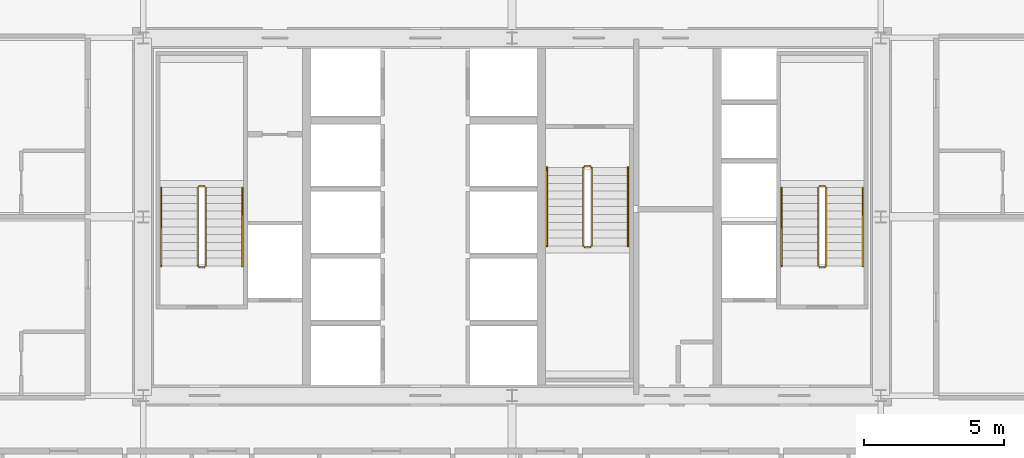
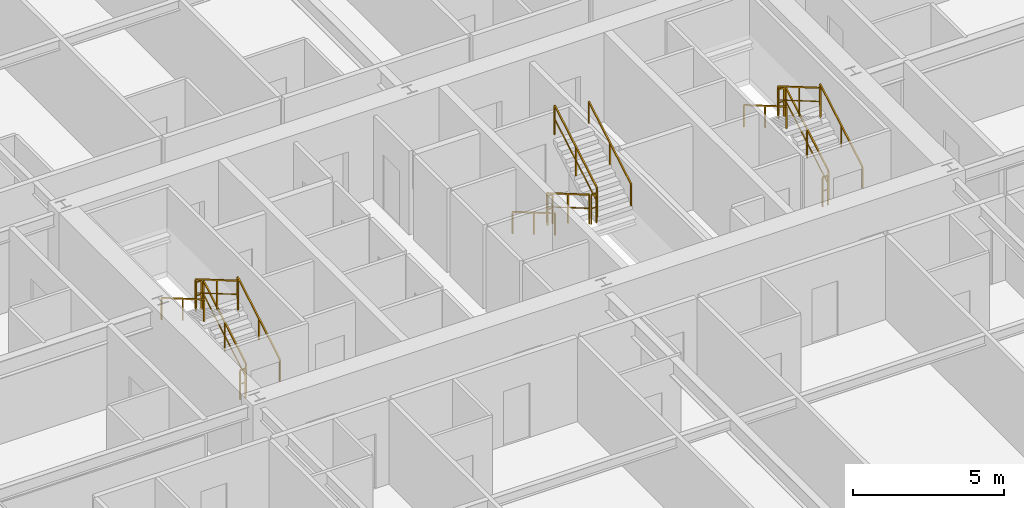
# One storey, part 38 of 38: 18 railings.
"""IFC4 building model written with IfcOpenShell, lengths in metres."""

from ifc_helpers import new_model, si_unit, direction, frame, origin, origin_2d, place, context, subcontext, project, spatial, rectangle, extrude, source, transform, mapped, material, layer, layer_set, type_object, element, save


model = new_model("IFC4")

# Units and contexts
model_context = context("Model", 3, precision=1e-05, world=origin(), true_north=direction((0.0, 1.0)))
body_context = subcontext(model_context, "Body", "Model", "MODEL_VIEW")
ifc_project = project(units=[si_unit("LENGTHUNIT", "METRE"), si_unit("AREAUNIT", "SQUARE_METRE"), si_unit("VOLUMEUNIT", "CUBIC_METRE"), si_unit("PLANEANGLEUNIT", "RADIAN"), si_unit("MASSUNIT", "GRAM", prefix="KILO"), si_unit("THERMODYNAMICTEMPERATUREUNIT", "KELVIN"), si_unit("POWERUNIT", "WATT")], contexts=[model_context])

# Site, building, storey
site_placement = place(None, origin())
site = spatial("IfcSite", under=ifc_project, at=site_placement, CompositionType="ELEMENT")
building_placement = place(site_placement, origin())
building = spatial("IfcBuilding", under=site, at=building_placement, Name="Yuzanri Waterfront Tower", CompositionType="ELEMENT")
storey_placement = place(building_placement, frame((0.0, 0.0, 97.39990234375)))
storey = spatial("IfcBuildingStorey", under=building, at=storey_placement, Name="L25", CompositionType="ELEMENT", Elevation=97.39990234375)

# Railings
ifc_material_1 = material(Name="Painted Galvanized Fire Steel", Category="steel")
ifc_layer_1 = layer(ifc_material_1, 0.06005859375)
ifc_layer_set_1 = layer_set([ifc_layer_1], Name="Painted Galvanized Fire Steel")
railing_type_1 = type_object("IfcRailingType", Name="Painted Steel Stairwell Guardrail 1120", PredefinedType="GUARDRAIL", material=ifc_layer_set_1)
shared_shape_1 = source(origin(), body_context, "Body", "SweptSolid", [
    extrude(rectangle(XDim=0.050048828125, YDim=0.050048828125, at=origin_2d()), frame((0.0, 0.0, 1.1748046875), z_axis=(-1.0, 0.0, 0.0), x_axis=(0.0, -1.0, 0.0)), (0.0, 0.0, 1.0), 0.199951171875),
    extrude(rectangle(XDim=0.035888671875, YDim=0.030029296875, at=origin_2d()), frame((0.0, 0.0, 0.6240234375), z_axis=(-1.0, 0.0, 0.0), x_axis=(0.0, -1.0, 0.0)), (0.0, 0.0, 1.0), 0.199951171875),
    extrude(rectangle(XDim=0.0458984375, YDim=0.0458984375, at=origin_2d()), origin(), (0.0, 0.0, 1.0), 1.14990234375),
    extrude(rectangle(XDim=0.0458984375, YDim=0.0458984375, at=origin_2d()), frame((-0.199951171875, 0.0, 0.0)), (0.0, 0.0, 1.0), 1.14990234375),
])
for number, where, name in (
    (1, (26.0, 26.889892578125, 1.800048828125), "L25 ST-01 stair guard 2"),
    (2, (26.0, 23.989990234375, 0.0), "L25 ST-01 stair guard 4"),
    (3, (48.199951171875, 26.889892578125, 1.800048828125), "L25 ST-02 stair guard 2"),
    (4, (48.199951171875, 23.989990234375, 0.0), "L25 ST-02 stair guard 4"),
):
    element("IfcRailing", number, at=place(storey_placement, frame(where)), inside=storey, type_object=railing_type_1, Name=name, PredefinedType="GUARDRAIL", context=body_context, shape_type="MappedRepresentation", body=[
        mapped(shared_shape_1, transform((0.0, 0.0, 0.0), scale=1.0)),
    ])
shared_shape_2 = source(origin(), body_context, "Body", "SweptSolid", [
    extrude(rectangle(XDim=0.050048828125, YDim=0.050048828125, at=origin_2d()), frame((0.0, 0.0, 1.1748046875), z_axis=(0.0, 0.863393664356, 0.504530851732), x_axis=(-1.0, 0.0, 0.0)), (0.0, 0.0, 1.0), 3.2431640625),
    extrude(rectangle(XDim=0.035888671875, YDim=0.030029296875, at=origin_2d()), frame((0.0, 0.0, 0.6240234375), z_axis=(0.0, 0.863393664356, 0.504530851732), x_axis=(-1.0, 0.0, 0.0)), (0.0, 0.0, 1.0), 3.2431640625),
    extrude(rectangle(XDim=0.0458984375, YDim=0.0458984375, at=origin_2d()), origin(), (0.0, 0.0, 1.0), 1.14990234375),
    extrude(rectangle(XDim=0.0458984375, YDim=0.0458984375, at=origin_2d()), frame((0.0, 1.39990234375, 0.818115234375)), (0.0, 0.0, 1.0), 1.14990234375),
    extrude(rectangle(XDim=0.0458984375, YDim=0.0458984375, at=origin_2d()), frame((0.0, 2.800048828125, 1.63623046875)), (0.0, 0.0, 1.0), 1.14990234375),
])
for number, where, name in (
    (5, (26.050048828125, 24.0400390625, 0.163818359375), "L25 ST-01 stair guard 1"),
    (6, (48.25, 24.0400390625, 0.163818359375), "L25 ST-02 stair guard 1"),
):
    element("IfcRailing", number, at=place(storey_placement, frame(where)), inside=storey, type_object=railing_type_1, Name=name, PredefinedType="GUARDRAIL", context=body_context, shape_type="MappedRepresentation", body=[
        mapped(shared_shape_2, transform((0.0, 0.0, 0.0), scale=1.0)),
    ])
shared_shape_3 = source(origin(), body_context, "Body", "SweptSolid", [
    extrude(rectangle(XDim=0.050048828125, YDim=0.050048828125, at=origin_2d()), frame((0.0, 0.0, 1.1748046875), z_axis=(0.0, -0.863393664356, 0.504530851732), x_axis=(1.0, 0.0, 0.0)), (0.0, 0.0, 1.0), 3.2431640625),
    extrude(rectangle(XDim=0.035888671875, YDim=0.030029296875, at=origin_2d()), frame((0.0, 0.0, 0.6240234375), z_axis=(0.0, -0.863393664356, 0.504530851732), x_axis=(1.0, 0.0, 0.0)), (0.0, 0.0, 1.0), 3.2431640625),
    extrude(rectangle(XDim=0.0458984375, YDim=0.0458984375, at=origin_2d()), origin(), (0.0, 0.0, 1.0), 1.14990234375),
    extrude(rectangle(XDim=0.0458984375, YDim=0.0458984375, at=origin_2d()), frame((0.0, -1.39990234375, 0.818115234375)), (0.0, 0.0, 1.0), 1.14990234375),
    extrude(rectangle(XDim=0.0458984375, YDim=0.0458984375, at=origin_2d()), frame((0.0, -2.800048828125, 1.63623046875)), (0.0, 0.0, 1.0), 1.14990234375),
])
railing_1_placement = place(storey_placement, frame((39.550048828125, 27.56005859375, 0.163818359375)))
element("IfcRailing", 7, at=railing_1_placement, inside=storey, type_object=railing_type_1, Name="L25 ST-03 stair guard 1", PredefinedType="GUARDRAIL", context=body_context, shape_type="MappedRepresentation", body=[
    mapped(shared_shape_3, transform((0.0, 0.0, 0.0), scale=1.0)),
])
ifc_material_2 = material(Name="Anodized Architectural Bronze", Category="metal")
ifc_layer_2 = layer(ifc_material_2, 0.050048828125)
ifc_layer_set_2 = layer_set([ifc_layer_2], Name="Anodized Architectural Bronze")
railing_type_2 = type_object("IfcRailingType", Name="Brushed Bronze Stair Pitch Handrail 920", PredefinedType="HANDRAIL", material=ifc_layer_set_2)
shared_shape_4 = source(origin(), body_context, "Body", "SweptSolid", [
    extrude(rectangle(XDim=0.050048828125, YDim=0.050048828125, at=origin_2d()), frame((0.0, 0.0, 0.875), z_axis=(0.0, 0.863393664356, 0.504530851732), x_axis=(-1.0, 0.0, 0.0)), (0.0, 0.0, 1.0), 3.2431640625),
    extrude(rectangle(XDim=0.0458984375, YDim=0.0458984375, at=origin_2d()), origin(), (0.0, 0.0, 1.0), 0.849853515625),
    extrude(rectangle(XDim=0.0458984375, YDim=0.0458984375, at=origin_2d()), frame((0.0, 1.39990234375, 0.818115234375)), (0.0, 0.0, 1.0), 0.849853515625),
    extrude(rectangle(XDim=0.0458984375, YDim=0.0458984375, at=origin_2d()), frame((0.0, 2.800048828125, 1.63623046875)), (0.0, 0.0, 1.0), 0.849853515625),
])
for number, where, name in (
    (8, (27.35009765625, 24.0400390625, 0.163818359375), "L25 ST-01 stair handrail 1"),
    (9, (49.550048828125, 24.0400390625, 0.163818359375), "L25 ST-02 stair handrail 1"),
):
    element("IfcRailing", number, at=place(storey_placement, frame(where)), inside=storey, type_object=railing_type_2, Name=name, PredefinedType="HANDRAIL", context=body_context, shape_type="MappedRepresentation", body=[
        mapped(shared_shape_4, transform((0.0, 0.0, 0.0), scale=1.0)),
    ])
shared_shape_5 = source(origin(), body_context, "Body", "SweptSolid", [
    extrude(rectangle(XDim=0.050048828125, YDim=0.050048828125, at=origin_2d()), frame((0.0, 0.0, 0.875), z_axis=(0.0, -0.863393664356, 0.504530851732), x_axis=(1.0, 0.0, 0.0)), (0.0, 0.0, 1.0), 3.2431640625),
    extrude(rectangle(XDim=0.0458984375, YDim=0.0458984375, at=origin_2d()), origin(), (0.0, 0.0, 1.0), 0.849853515625),
    extrude(rectangle(XDim=0.0458984375, YDim=0.0458984375, at=origin_2d()), frame((0.0, -1.39990234375, 0.818115234375)), (0.0, 0.0, 1.0), 0.849853515625),
    extrude(rectangle(XDim=0.0458984375, YDim=0.0458984375, at=origin_2d()), frame((0.0, -2.800048828125, 1.63623046875)), (0.0, 0.0, 1.0), 0.849853515625),
])
railing_2_placement = place(storey_placement, frame((38.25, 27.56005859375, 0.163818359375)))
element("IfcRailing", 10, at=railing_2_placement, inside=storey, type_object=railing_type_2, Name="L25 ST-03 stair handrail 1", PredefinedType="HANDRAIL", context=body_context, shape_type="MappedRepresentation", body=[
    mapped(shared_shape_5, transform((0.0, 0.0, 0.0), scale=1.0)),
])
shared_shape_6 = source(origin(), body_context, "Body", "SweptSolid", [
    extrude(rectangle(XDim=0.050048828125, YDim=0.050048828125, at=origin_2d()), frame((0.0, 0.0, 1.1748046875), z_axis=(0.0, 0.863360870873, 0.504586966384), x_axis=(-1.0, 0.0, 0.0)), (0.0, 0.0, 1.0), 3.2431640625),
    extrude(rectangle(XDim=0.035888671875, YDim=0.030029296875, at=origin_2d()), frame((0.0, 0.0, 0.6240234375), z_axis=(0.0, 0.863360870873, 0.504586966384), x_axis=(-1.0, 0.0, 0.0)), (0.0, 0.0, 1.0), 3.2431640625),
    extrude(rectangle(XDim=0.0458984375, YDim=0.0458984375, at=origin_2d()), origin(), (0.0, 0.0, 1.0), 1.14990234375),
    extrude(rectangle(XDim=0.0458984375, YDim=0.0458984375, at=origin_2d()), frame((0.0, 1.39990234375, 0.818359375)), (0.0, 0.0, 1.0), 1.14990234375),
    extrude(rectangle(XDim=0.0458984375, YDim=0.0458984375, at=origin_2d()), frame((0.0, 2.800048828125, 1.636474609375)), (0.0, 0.0, 1.0), 1.14990234375),
])
railing_3_placement = place(storey_placement, frame((39.85009765625, 24.760009765625, 1.963623046875)))
element("IfcRailing", 11, at=railing_3_placement, inside=storey, type_object=railing_type_1, Name="L25 ST-03 stair guard 3", PredefinedType="GUARDRAIL", context=body_context, shape_type="MappedRepresentation", body=[
    mapped(shared_shape_6, transform((0.0, 0.0, 0.0), scale=1.0)),
])
shared_shape_7 = source(origin(), body_context, "Body", "SweptSolid", [
    extrude(rectangle(XDim=0.050048828125, YDim=0.050048828125, at=origin_2d()), frame((0.0, 0.0, 1.1748046875), z_axis=(0.0, -0.863360870873, 0.504586966384), x_axis=(1.0, 0.0, 0.0)), (0.0, 0.0, 1.0), 3.2431640625),
    extrude(rectangle(XDim=0.035888671875, YDim=0.030029296875, at=origin_2d()), frame((0.0, 0.0, 0.6240234375), z_axis=(0.0, -0.863360870873, 0.504586966384), x_axis=(1.0, 0.0, 0.0)), (0.0, 0.0, 1.0), 3.2431640625),
    extrude(rectangle(XDim=0.0458984375, YDim=0.0458984375, at=origin_2d()), origin(), (0.0, 0.0, 1.0), 1.14990234375),
    extrude(rectangle(XDim=0.0458984375, YDim=0.0458984375, at=origin_2d()), frame((0.0, -1.39990234375, 0.818359375)), (0.0, 0.0, 1.0), 1.14990234375),
    extrude(rectangle(XDim=0.0458984375, YDim=0.0458984375, at=origin_2d()), frame((0.0, -2.800048828125, 1.636474609375)), (0.0, 0.0, 1.0), 1.14990234375),
])
for number, where, name in (
    (12, (25.75, 26.840087890625, 1.963623046875), "L25 ST-01 stair guard 3"),
    (13, (47.949951171875, 26.840087890625, 1.963623046875), "L25 ST-02 stair guard 3"),
):
    element("IfcRailing", number, at=place(storey_placement, frame(where)), inside=storey, type_object=railing_type_1, Name=name, PredefinedType="GUARDRAIL", context=body_context, shape_type="MappedRepresentation", body=[
        mapped(shared_shape_7, transform((0.0, 0.0, 0.0), scale=1.0)),
    ])
shared_shape_8 = source(origin(), body_context, "Body", "SweptSolid", [
    extrude(rectangle(XDim=0.050048828125, YDim=0.050048828125, at=origin_2d()), frame((0.0, 0.0, 0.875), z_axis=(0.0, 0.863360870873, 0.504586966384), x_axis=(-1.0, 0.0, 0.0)), (0.0, 0.0, 1.0), 3.2431640625),
    extrude(rectangle(XDim=0.0458984375, YDim=0.0458984375, at=origin_2d()), origin(), (0.0, 0.0, 1.0), 0.849853515625),
    extrude(rectangle(XDim=0.0458984375, YDim=0.0458984375, at=origin_2d()), frame((0.0, 1.39990234375, 0.818359375)), (0.0, 0.0, 1.0), 0.849853515625),
    extrude(rectangle(XDim=0.0458984375, YDim=0.0458984375, at=origin_2d()), frame((0.0, 2.800048828125, 1.636474609375)), (0.0, 0.0, 1.0), 0.849853515625),
])
railing_4_placement = place(storey_placement, frame((41.14990234375, 24.760009765625, 1.963623046875)))
element("IfcRailing", 14, at=railing_4_placement, inside=storey, type_object=railing_type_2, Name="L25 ST-03 stair handrail 2", PredefinedType="HANDRAIL", context=body_context, shape_type="MappedRepresentation", body=[
    mapped(shared_shape_8, transform((0.0, 0.0, 0.0), scale=1.0)),
])
shared_shape_9 = source(origin(), body_context, "Body", "SweptSolid", [
    extrude(rectangle(XDim=0.050048828125, YDim=0.050048828125, at=origin_2d()), frame((0.0, 0.0, 0.875), z_axis=(0.0, -0.863360870873, 0.504586966384), x_axis=(1.0, 0.0, 0.0)), (0.0, 0.0, 1.0), 3.2431640625),
    extrude(rectangle(XDim=0.0458984375, YDim=0.0458984375, at=origin_2d()), origin(), (0.0, 0.0, 1.0), 0.849853515625),
    extrude(rectangle(XDim=0.0458984375, YDim=0.0458984375, at=origin_2d()), frame((0.0, -1.39990234375, 0.818359375)), (0.0, 0.0, 1.0), 0.849853515625),
    extrude(rectangle(XDim=0.0458984375, YDim=0.0458984375, at=origin_2d()), frame((0.0, -2.800048828125, 1.636474609375)), (0.0, 0.0, 1.0), 0.849853515625),
])
for number, where, name in (
    (15, (24.449951171875, 26.840087890625, 1.963623046875), "L25 ST-01 stair handrail 2"),
    (16, (46.64990234375, 26.840087890625, 1.963623046875), "L25 ST-02 stair handrail 2"),
):
    element("IfcRailing", number, at=place(storey_placement, frame(where)), inside=storey, type_object=railing_type_2, Name=name, PredefinedType="HANDRAIL", context=body_context, shape_type="MappedRepresentation", body=[
        mapped(shared_shape_9, transform((0.0, 0.0, 0.0), scale=1.0)),
    ])
shared_shape_10 = source(origin(), body_context, "Body", "SweptSolid", [
    extrude(rectangle(XDim=0.050048828125, YDim=0.050048828125, at=origin_2d()), frame((0.0, 0.0, 1.1748046875), z_axis=(1.0, 0.0, 0.0), x_axis=(0.0, 1.0, 0.0)), (0.0, 0.0, 1.0), 0.199951171875),
    extrude(rectangle(XDim=0.035888671875, YDim=0.030029296875, at=origin_2d()), frame((0.0, 0.0, 0.6240234375), z_axis=(1.0, 0.0, 0.0), x_axis=(0.0, 1.0, 0.0)), (0.0, 0.0, 1.0), 0.199951171875),
    extrude(rectangle(XDim=0.0458984375, YDim=0.0458984375, at=origin_2d()), origin(), (0.0, 0.0, 1.0), 1.14990234375),
    extrude(rectangle(XDim=0.0458984375, YDim=0.0458984375, at=origin_2d()), frame((0.199951171875, 0.0, 0.0)), (0.0, 0.0, 1.0), 1.14990234375),
])
for number, where, name in (
    (17, (39.60009765625, 24.7099609375, 1.800048828125), "L25 ST-03 stair guard 2"),
    (18, (39.60009765625, 27.610107421875, 0.0), "L25 ST-03 stair guard 4"),
):
    element("IfcRailing", number, at=place(storey_placement, frame(where)), inside=storey, type_object=railing_type_1, Name=name, PredefinedType="GUARDRAIL", context=body_context, shape_type="MappedRepresentation", body=[
        mapped(shared_shape_10, transform((0.0, 0.0, 0.0), scale=1.0)),
    ])

save(model, "model.ifc")
